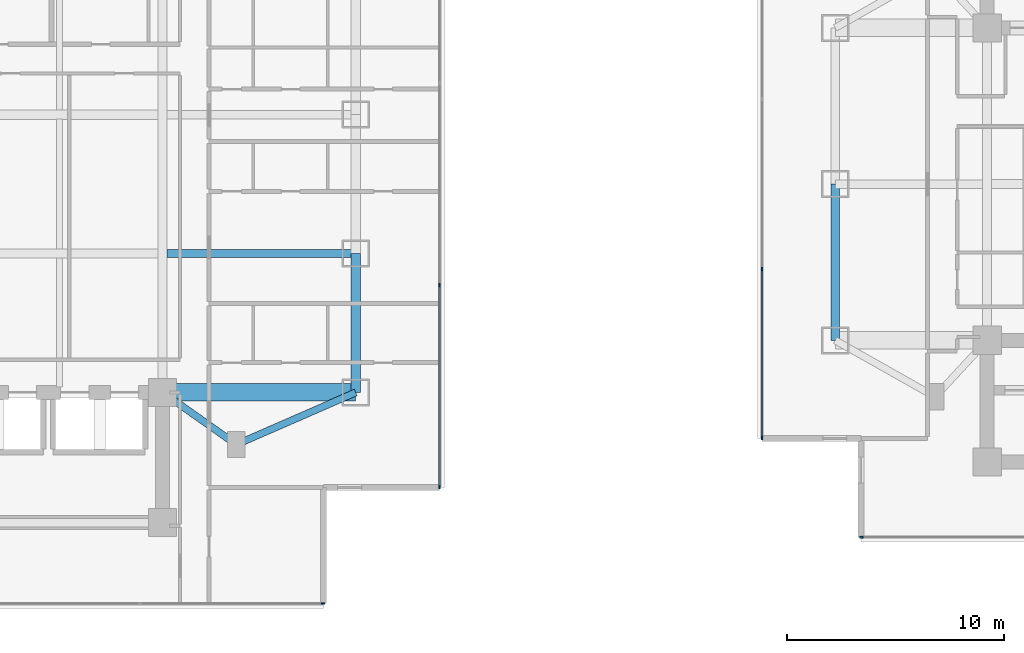
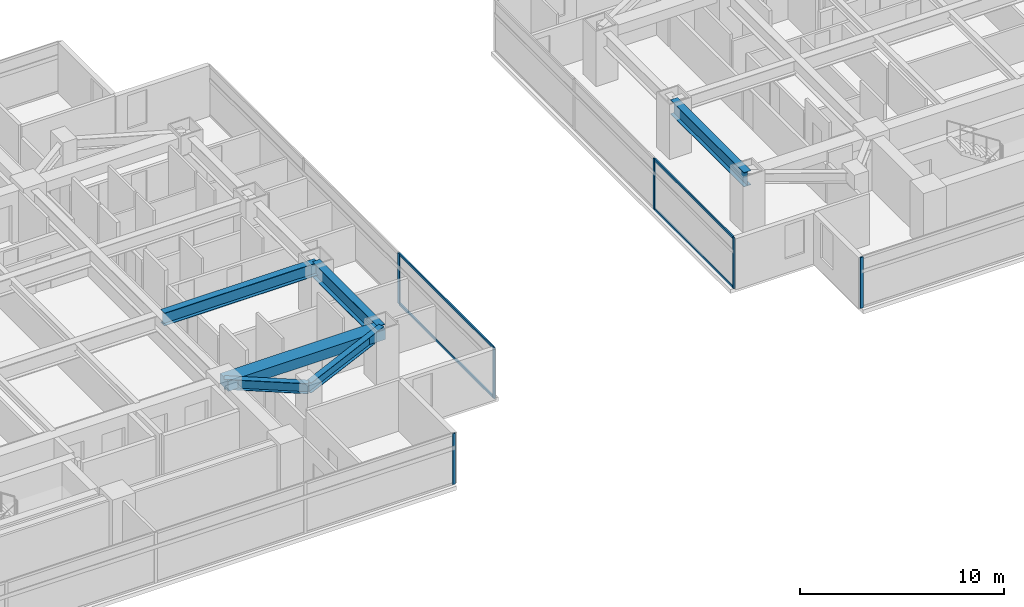
# One storey, part 5 of 24: 10 members, 6 beams, 4 elements without a shape of their own.
"""IFC4 building model written with IfcOpenShell, lengths in metres."""

from ifc_helpers import new_model, si_unit, direction, frame, origin, origin_2d, place, context, subcontext, project, spatial, rectangle, i_section, extrude, material, material_profile, profile_set, type_object, element, aggregate, save


model = new_model("IFC4")

# Units and contexts
model_context = context("Model", 3, precision=1e-05, world=origin(), true_north=direction((0.0, 1.0)))
body_context = subcontext(model_context, "Body", "Model", "MODEL_VIEW")
ifc_project = project(units=[si_unit("LENGTHUNIT", "METRE"), si_unit("AREAUNIT", "SQUARE_METRE"), si_unit("VOLUMEUNIT", "CUBIC_METRE"), si_unit("PLANEANGLEUNIT", "RADIAN"), si_unit("MASSUNIT", "GRAM", prefix="KILO")], contexts=[model_context])

# Site, building, storey
site_placement = place(None, origin())
site = spatial("IfcSite", under=ifc_project, at=site_placement, CompositionType="ELEMENT")
building_placement = place(site_placement, origin())
building = spatial("IfcBuilding", under=site, at=building_placement, Name="Mirazonda Arch Towers", CompositionType="ELEMENT")
storey_placement = place(building_placement, frame((0.0, 0.0, 71.89990234375)))
storey = spatial("IfcBuildingStorey", under=building, at=storey_placement, Name="L20", CompositionType="ELEMENT", Elevation=71.89990234375)

# Beams
ifc_material_1 = material(Name="Steel ASTM A992 Grade 50", Category="steel")
ifc_material_profile_1 = material_profile(ifc_material_1, i_section(OverallWidth=0.39990234375, OverallDepth=0.85595703125, WebThickness=0.018310546875, FlangeThickness=0.029296875, at=origin_2d()), Name="W33X201")
ifc_profile_set_1 = profile_set([ifc_material_profile_1], Name="Steel ASTM A992 Grade 50")
beam_type_1 = type_object("IfcBeamType", Name="BM-EXT-W33X201", PredefinedType="USERDEFINED", material=ifc_profile_set_1)
beam_1_placement = place(storey_placement, frame((61.0, 20.800048828125, 2.632080078125), z_axis=(0.0, 1.0, 0.0), x_axis=(-1.0, 0.0, 0.0)))
element("IfcBeam", 1, at=beam_1_placement, inside=storey, type_object=beam_type_1, Name="L20 Floor Beam BM-T2-L20-NS-W-20", ObjectType="GIRDER", PredefinedType="USERDEFINED", context=body_context, shape_type="SweptSolid", body=[
    extrude(i_section(OverallWidth=0.39990234375, OverallDepth=0.85595703125, WebThickness=0.018310546875, FlangeThickness=0.029296875, at=origin_2d()), origin(), (0.0, 0.0, 1.0), 7.199951171875),
])
ifc_material_profile_2 = material_profile(ifc_material_1, i_section(OverallWidth=0.41796875, OverallDepth=0.927001953125, WebThickness=0.019287109375, FlangeThickness=0.031982421875, at=origin_2d()), Name="W36X231")
ifc_profile_set_2 = profile_set([ifc_material_profile_2], Name="Steel ASTM A992 Grade 50")
beam_type_2 = type_object("IfcBeamType", Name="BM-EXT-W36X231", PredefinedType="USERDEFINED", material=ifc_profile_set_2)
beam_2_placement = place(storey_placement, frame((38.89990234375, 18.39990234375, 2.5966796875), z_axis=(0.0, 1.0, 0.0), x_axis=(-1.0, 0.0, 0.0)))
element("IfcBeam", 2, at=beam_2_placement, inside=storey, type_object=beam_type_2, Name="L20 Floor Beam BM-T1-L20-NS-E-18", ObjectType="GIRDER", PredefinedType="USERDEFINED", context=body_context, shape_type="SweptSolid", body=[
    extrude(i_section(OverallWidth=0.41796875, OverallDepth=0.927001953125, WebThickness=0.019287109375, FlangeThickness=0.031982421875, at=origin_2d()), origin(), (0.0, 0.0, 1.0), 6.400146484375),
])
ifc_material_profile_3 = material_profile(ifc_material_1, i_section(OverallWidth=0.324951171875, OverallDepth=0.615966796875, WebThickness=0.013916015625, FlangeThickness=0.021484375, at=origin_2d()), Name="W24X117")
ifc_profile_set_3 = profile_set([ifc_material_profile_3], Name="Steel ASTM A992 Grade 50")
beam_type_3 = type_object("IfcBeamType", Name="BM-INT-W24X117", PredefinedType="BEAM", material=ifc_profile_set_3)
beam_3_placement = place(storey_placement, frame((33.39990234375, 16.0, 2.752197265625), z_axis=(-0.816971114901, 0.576678591087, 0.0), x_axis=(-0.576678591087, -0.816971114901, 0.0)))
element("IfcBeam", 3, at=beam_3_placement, inside=storey, type_object=beam_type_3, Name="L20 Floor Beam BM-T1-L20-PL-SE1", PredefinedType="BEAM", context=body_context, shape_type="SweptSolid", body=[
    extrude(i_section(OverallWidth=0.324951171875, OverallDepth=0.615966796875, WebThickness=0.013916015625, FlangeThickness=0.021484375, at=origin_2d()), origin(), (0.0, 0.0, 1.0), 4.16162109375),
])
beam_4_placement = place(storey_placement, frame((33.39990234375, 16.0, 2.752197265625), z_axis=(0.916545343703, 0.399930785183, 0.0), x_axis=(-0.399930785183, 0.916545343703, 0.0)))
element("IfcBeam", 4, at=beam_4_placement, inside=storey, type_object=beam_type_3, Name="L20 Floor Beam BM-T1-L20-PL-SE2", PredefinedType="BEAM", context=body_context, shape_type="SweptSolid", body=[
    extrude(i_section(OverallWidth=0.324951171875, OverallDepth=0.615966796875, WebThickness=0.013916015625, FlangeThickness=0.021484375, at=origin_2d()), origin(), (0.0, 0.0, 1.0), 6.000732421875),
])
ifc_material_profile_4 = material_profile(ifc_material_1, i_section(OverallWidth=0.381103515625, OverallDepth=0.77294921875, WebThickness=0.0166015625, FlangeThickness=0.027099609375, at=origin_2d()), Name="W30X173")
ifc_profile_set_4 = profile_set([ifc_material_profile_4], Name="Steel ASTM A992 Grade 50")
beam_type_4 = type_object("IfcBeamType", Name="BM-INT-W30X173", PredefinedType="USERDEFINED", material=ifc_profile_set_4)
beam_5_placement = place(storey_placement, frame((30.21142578125, 24.800048828125, 2.673583984375), z_axis=(1.0, 0.0, 0.0), x_axis=(0.0, 1.0, 0.0)))
element("IfcBeam", 5, at=beam_5_placement, inside=storey, type_object=beam_type_4, Name="L20 Floor Beam BM-T1-L20-GE2", ObjectType="GIRDER", PredefinedType="USERDEFINED", context=body_context, shape_type="SweptSolid", body=[
    extrude(i_section(OverallWidth=0.381103515625, OverallDepth=0.77294921875, WebThickness=0.0166015625, FlangeThickness=0.027099609375, at=origin_2d()), origin(), (0.0, 0.0, 1.0), 8.6884765625),
])
ifc_material_2 = material(Name="Concrete C60/75", Category="concrete")
ifc_material_profile_5 = material_profile(ifc_material_2, rectangle(XDim=0.800048828125, YDim=0.60009765625, at=origin_2d()), Name="RCCB800x600")
ifc_profile_set_5 = profile_set([ifc_material_profile_5], Name="Concrete C60/75")
beam_type_5 = type_object("IfcBeamType", Name="CB-INT-RCCB800x600", PredefinedType="SPANDREL", material=ifc_profile_set_5)
beam_6_placement = place(storey_placement, frame((30.0, 18.39990234375, 2.760009765625), z_axis=(1.0, 0.0, 0.0), x_axis=(0.0, 1.0, 0.0)))
element("IfcBeam", 6, at=beam_6_placement, inside=storey, type_object=beam_type_5, Name="L20 Floor Beam CBC-T1-L20-SE", PredefinedType="SPANDREL", context=body_context, shape_type="SweptSolid", body=[
    extrude(rectangle(XDim=0.800048828125, YDim=0.60009765625, at=origin_2d()), origin(), (0.0, 0.0, 1.0), 8.89990234375),
])

# Curtain wall, member
ifc_material_3 = material(Name="Anodised Aluminium and Low-E Glass", Category="aluminium")
curtain_wall_type = type_object("IfcCurtainWallType", Name="CW-HTL-UNIT", PredefinedType="NOTDEFINED", material=ifc_material_3)
curtain_wall_1_placement = place(storey_placement, origin())
curtain_wall_1 = element("IfcCurtainWall", 7, at=curtain_wall_1_placement, inside=storey, type_object=curtain_wall_type, Name="L20 T1 S Facade CW-L20-T1-S", PredefinedType="NOTDEFINED")
ifc_material_4 = material(Name="Anodised Aluminium Alloy", Category="aluminium")
ifc_material_profile_6 = material_profile(ifc_material_4, rectangle(XDim=0.074951171875, YDim=0.1650390625, at=origin_2d()), Name="ALU-MULL-75x165")
ifc_profile_set_6 = profile_set([ifc_material_profile_6], Name="Anodised Aluminium Alloy")
member_type_1 = type_object("IfcMemberType", Name="MULL-CW-HTL-UNIT", PredefinedType="MULLION", material=ifc_profile_set_6)
member_1_placement = place(storey_placement, frame((37.382568359375, 8.672119140625, 0.0), z_axis=(0.0, 0.0, 1.0), x_axis=(0.0, -1.0, 0.0)))
member_1 = element("IfcMember", 8, at=member_1_placement, type_object=member_type_1, Name="CW-112 mullion 1", PredefinedType="MULLION", context=body_context, shape_type="SweptSolid", body=[
    extrude(rectangle(XDim=0.074951171875, YDim=0.1650390625, at=origin_2d()), origin(), (0.0, 0.0, 1.0), 3.0400390625),
])
aggregate(curtain_wall_1, [member_1])

# Curtain wall, members
curtain_wall_2_placement = place(storey_placement, origin())
curtain_wall_2 = element("IfcCurtainWall", 9, at=curtain_wall_2_placement, inside=storey, type_object=curtain_wall_type, Name="L20 T1 E Facade CW-L20-T1-E", PredefinedType="NOTDEFINED")
member_2_placement = place(storey_placement, frame((42.760009765625, 14.049560546875, 0.0), z_axis=(0.0, 0.0, 1.0), x_axis=(-1.0, 0.0, 0.0)))
member_2 = element("IfcMember", 10, at=member_2_placement, type_object=member_type_1, Name="CW-112 mullion 1", PredefinedType="MULLION", context=body_context, shape_type="SweptSolid", body=[
    extrude(rectangle(XDim=0.074951171875, YDim=0.1650390625, at=origin_2d()), origin(), (0.0, 0.0, 1.0), 3.0400390625),
])
member_3_placement = place(storey_placement, frame((42.760009765625, 23.33740234375, 0.0), z_axis=(0.0, 0.0, 1.0), x_axis=(-1.0, 0.0, 0.0)))
member_3 = element("IfcMember", 11, at=member_3_placement, type_object=member_type_1, Name="CW-112 mullion 2", PredefinedType="MULLION", context=body_context, shape_type="SweptSolid", body=[
    extrude(rectangle(XDim=0.074951171875, YDim=0.1650390625, at=origin_2d()), origin(), (0.0, 0.0, 1.0), 3.0400390625),
])

# Curtain wall, member
curtain_wall_3_placement = place(storey_placement, origin())
curtain_wall_3 = element("IfcCurtainWall", 12, at=curtain_wall_3_placement, inside=storey, type_object=curtain_wall_type, Name="L20 T2 S Facade CW-L20-T2-S", PredefinedType="NOTDEFINED")
member_4_placement = place(storey_placement, frame((62.215576171875, 11.72412109375, 0.0), z_axis=(0.0, 0.0, 1.0), x_axis=(0.0, -1.0, 0.0)))
member_4 = element("IfcMember", 13, at=member_4_placement, type_object=member_type_1, Name="CW-112 mullion 4", PredefinedType="MULLION", context=body_context, shape_type="SweptSolid", body=[
    extrude(rectangle(XDim=0.074951171875, YDim=0.1650390625, at=origin_2d()), origin(), (0.0, 0.0, 1.0), 3.0400390625),
])
aggregate(curtain_wall_3, [member_4])

# Curtain wall, members
curtain_wall_4_placement = place(storey_placement, origin())
curtain_wall_4 = element("IfcCurtainWall", 14, at=curtain_wall_4_placement, inside=storey, type_object=curtain_wall_type, Name="L20 T2 W Facade CW-L20-T2-W", PredefinedType="NOTDEFINED")
member_5_placement = place(storey_placement, frame((57.632080078125, 24.090087890625, 0.0), z_axis=(0.0, 0.0, 1.0), x_axis=(1.0, 0.0, 0.0)))
member_5 = element("IfcMember", 15, at=member_5_placement, type_object=member_type_1, Name="CW-112 mullion 3", PredefinedType="MULLION", context=body_context, shape_type="SweptSolid", body=[
    extrude(rectangle(XDim=0.074951171875, YDim=0.1650390625, at=origin_2d()), origin(), (0.0, 0.0, 1.0), 3.0400390625),
])
member_6_placement = place(storey_placement, frame((57.632080078125, 16.3076171875, 0.0), z_axis=(0.0, 0.0, 1.0), x_axis=(1.0, 0.0, 0.0)))
member_6 = element("IfcMember", 16, at=member_6_placement, type_object=member_type_1, Name="CW-112 mullion 4", PredefinedType="MULLION", context=body_context, shape_type="SweptSolid", body=[
    extrude(rectangle(XDim=0.074951171875, YDim=0.1650390625, at=origin_2d()), origin(), (0.0, 0.0, 1.0), 3.0400390625),
])

# Member
ifc_material_profile_7 = material_profile(ifc_material_4, rectangle(XDim=0.074951171875, YDim=0.14501953125, at=origin_2d()), Name="ALU-TRAN-75x145")
ifc_profile_set_7 = profile_set([ifc_material_profile_7], Name="Anodised Aluminium Alloy")
member_type_2 = type_object("IfcMemberType", Name="TRAN-CW-HTL-UNIT", PredefinedType="USERDEFINED", material=ifc_profile_set_7)
member_7_placement = place(storey_placement, frame((42.760009765625, 14.0869140625, 0.03759765625), z_axis=(0.0, 1.0, 0.0), x_axis=(-1.0, 0.0, 0.0)))
member_7 = element("IfcMember", 17, at=member_7_placement, type_object=member_type_2, Name="CW-112 transom 1.1", ObjectType="TRANSOM", PredefinedType="USERDEFINED", context=body_context, shape_type="SweptSolid", body=[
    extrude(rectangle(XDim=0.074951171875, YDim=0.14501953125, at=origin_2d()), origin(), (0.0, 0.0, 1.0), 9.212890625),
])

member_8_placement = place(storey_placement, frame((42.760009765625, 14.0869140625, 3.002685546875), z_axis=(0.0, 1.0, 0.0), x_axis=(-1.0, 0.0, 0.0)))
member_8 = element("IfcMember", 18, at=member_8_placement, type_object=member_type_2, Name="CW-112 transom 1.2", ObjectType="TRANSOM", PredefinedType="USERDEFINED", context=body_context, shape_type="SweptSolid", body=[
    extrude(rectangle(XDim=0.074951171875, YDim=0.14501953125, at=origin_2d()), origin(), (0.0, 0.0, 1.0), 9.212890625),
])

aggregate(curtain_wall_2, [member_2, member_3, member_7, member_8])

member_9_placement = place(storey_placement, frame((57.632080078125, 24.052490234375, 0.03759765625), z_axis=(0.0, -1.0, 0.0), x_axis=(1.0, 0.0, 0.0)))
member_9 = element("IfcMember", 19, at=member_9_placement, type_object=member_type_2, Name="CW-112 transom 3.1", ObjectType="TRANSOM", PredefinedType="USERDEFINED", context=body_context, shape_type="SweptSolid", body=[
    extrude(rectangle(XDim=0.074951171875, YDim=0.14501953125, at=origin_2d()), origin(), (0.0, 0.0, 1.0), 7.707275390625),
])

member_10_placement = place(storey_placement, frame((57.632080078125, 24.052490234375, 3.002685546875), z_axis=(0.0, -1.0, 0.0), x_axis=(1.0, 0.0, 0.0)))
member_10 = element("IfcMember", 20, at=member_10_placement, type_object=member_type_2, Name="CW-112 transom 3.2", ObjectType="TRANSOM", PredefinedType="USERDEFINED", context=body_context, shape_type="SweptSolid", body=[
    extrude(rectangle(XDim=0.074951171875, YDim=0.14501953125, at=origin_2d()), origin(), (0.0, 0.0, 1.0), 7.707275390625),
])

aggregate(curtain_wall_4, [member_5, member_6, member_9, member_10])

save(model, "model.ifc")
